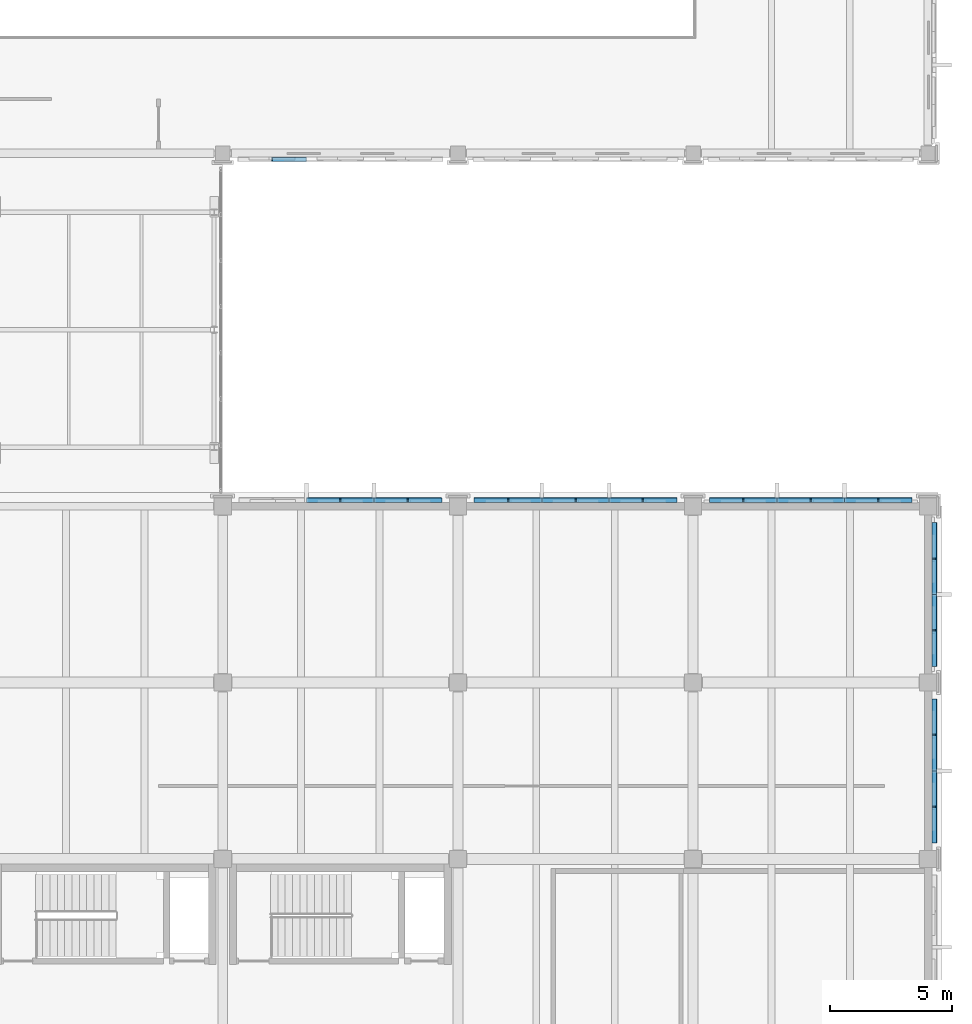
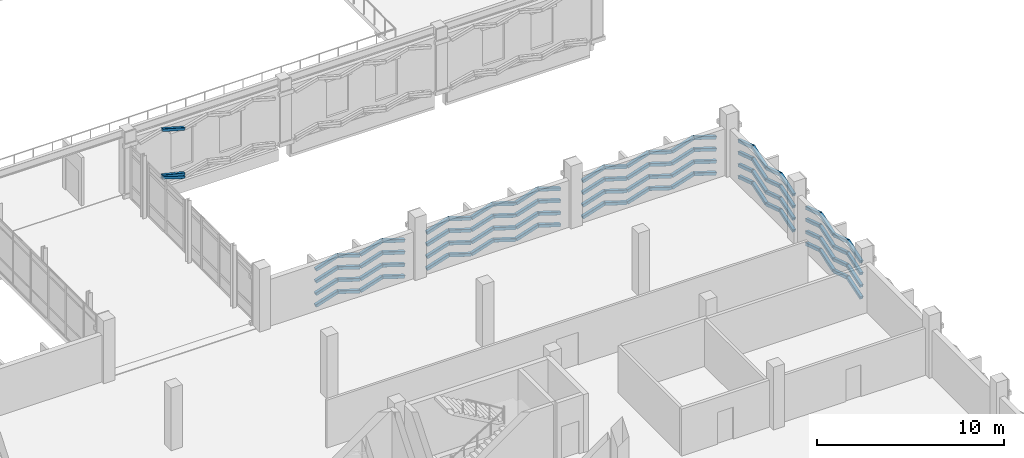
# One storey, part 147 of 180: 99 plates.
"""IFC4 building model written with IfcOpenShell, lengths in metres."""

from ifc_helpers import new_model, si_unit, direction, frame, origin, origin_2d, place, context, subcontext, project, spatial, hollow_rectangle, extrude, material, material_profile, profile_set, type_object, element, save


model = new_model("IFC4")

# Units and contexts
model_context = context("Model", 3, precision=1e-05, world=origin(), true_north=direction((0.0, 1.0)))
body_context = subcontext(model_context, "Body", "Model", "MODEL_VIEW")
ifc_project = project(units=[si_unit("LENGTHUNIT", "METRE"), si_unit("AREAUNIT", "SQUARE_METRE"), si_unit("VOLUMEUNIT", "CUBIC_METRE"), si_unit("PLANEANGLEUNIT", "RADIAN"), si_unit("MASSUNIT", "GRAM", prefix="KILO")], contexts=[model_context])

# Site, building, storey
site_placement = place(None, origin())
site = spatial("IfcSite", under=ifc_project, at=site_placement, CompositionType="ELEMENT")
building_placement = place(site_placement, origin())
building = spatial("IfcBuilding", under=site, at=building_placement, Name="Asteropetra Specialist Clinic", CompositionType="ELEMENT")
storey_placement = place(building_placement, frame((0.0, 0.0, 4.419921875)))
storey = spatial("IfcBuildingStorey", under=building, at=storey_placement, Name="L01", CompositionType="ELEMENT", Elevation=4.419921875)

# Plates
ifc_material_1 = material(Name="Chevron emerald aluminium 6063-T6", Category="aluminium")
ifc_material_profile_1 = material_profile(ifc_material_1, hollow_rectangle(XDim=0.179931640625, YDim=0.179931640625, WallThickness=0.010009765625, InnerFilletRadius=0.008056640625, OuterFilletRadius=0.01611328125, at=origin_2d()), Name="SHS 180x180x10.0")
ifc_profile_set_1 = profile_set([ifc_material_profile_1], Name="Chevron emerald aluminium 6063-T6")
plate_type_1 = type_object("IfcPlateType", Name="CHV-RIB-180", PredefinedType="SHEET", material=ifc_profile_set_1)
plate_1_placement = place(storey_placement, frame((126.813232421875, 76.55810546875, 0.4794921875), z_axis=(0.952439871219, 0.0, -0.304726585175), x_axis=(0.0, 1.0, 0.0)))
element("IfcPlate", 1, at=plate_1_placement, inside=storey, type_object=plate_type_1, Name="Chevron Facade Screen Fin CVR-0134", PredefinedType="SHEET", context=body_context, shape_type="SweptSolid", body=[
    extrude(hollow_rectangle(XDim=0.179931640625, YDim=0.179931640625, WallThickness=0.010009765625, InnerFilletRadius=0.008056640625, OuterFilletRadius=0.01611328125, at=origin_2d()), origin(), (0.0, 0.0, 1.0), 1.442138671875),
])
plate_2_placement = place(storey_placement, frame((126.813232421875, 76.55810546875, 0.570068359375), z_axis=(0.972318233691, 0.0, -0.233660549582), x_axis=(0.0, 1.0, 0.0)))
element("IfcPlate", 2, at=plate_2_placement, inside=storey, type_object=plate_type_1, Name="Chevron Facade Screen Fin CVR-0136", PredefinedType="SHEET", context=body_context, shape_type="SweptSolid", body=[
    extrude(hollow_rectangle(XDim=0.179931640625, YDim=0.179931640625, WallThickness=0.010009765625, InnerFilletRadius=0.008056640625, OuterFilletRadius=0.01611328125, at=origin_2d()), origin(), (0.0, 0.0, 1.0), 1.41259765625),
])
plate_3_placement = place(storey_placement, frame((126.813232421875, 76.55810546875, 3.580078125), z_axis=(0.961993565235, 0.0, -0.273072115834), x_axis=(0.0, 1.0, 0.0)))
element("IfcPlate", 3, at=plate_3_placement, inside=storey, type_object=plate_type_1, Name="Chevron Facade Screen Fin CVR-0138", PredefinedType="SHEET", context=body_context, shape_type="SweptSolid", body=[
    extrude(hollow_rectangle(XDim=0.179931640625, YDim=0.179931640625, WallThickness=0.010009765625, InnerFilletRadius=0.008056640625, OuterFilletRadius=0.01611328125, at=origin_2d()), origin(), (0.0, 0.0, 1.0), 1.427734375),
])
ifc_material_2 = material(Name="Chevron emerald aluminium 6063-T6", Category="aluminium")
ifc_material_profile_2 = material_profile(ifc_material_2, hollow_rectangle(XDim=0.199951171875, YDim=0.199951171875, WallThickness=0.010009765625, InnerFilletRadius=0.008056640625, OuterFilletRadius=0.01611328125, at=origin_2d()), Name="SHS 200x200x10.0")
ifc_profile_set_2 = profile_set([ifc_material_profile_2], Name="Chevron emerald aluminium 6063-T6")
plate_type_2 = type_object("IfcPlateType", Name="CHV-RIB-200", PredefinedType="SHEET", material=ifc_profile_set_2)
for number, where, z_axis, x_axis, name in (
    (4, (133.7099609375, 62.6494140625, 0.050048828125), (-0.952436086829, 0.0, 0.304738413241), (0.0, -1.0, 0.0), "Chevron Facade Screen Fin CVR-2072"),
    (5, (132.353271484375, 62.6494140625, 0.484130859375), (-0.952436086829, 0.0, -0.304738413241), (0.0, -1.0, 0.0), "Chevron Facade Screen Fin CVR-2073"),
    (6, (133.7099609375, 62.6494140625, 0.820068359375), (-0.952436086829, 0.0, 0.304738413241), (0.0, -1.0, 0.0), "Chevron Facade Screen Fin CVR-2074"),
    (7, (132.353271484375, 62.6494140625, 1.254150390625), (-0.952436086829, 0.0, -0.304738413241), (0.0, -1.0, 0.0), "Chevron Facade Screen Fin CVR-2075"),
    (8, (133.7099609375, 62.6494140625, 1.6201171875), (-0.952436086829, 0.0, 0.304738413241), (0.0, -1.0, 0.0), "Chevron Facade Screen Fin CVR-2076"),
    (9, (132.353271484375, 62.6494140625, 2.05419921875), (-0.952436086829, 0.0, -0.304738413241), (0.0, -1.0, 0.0), "Chevron Facade Screen Fin CVR-2077"),
    (10, (133.7099609375, 62.6494140625, 2.400146484375), (-0.952436086829, 0.0, 0.304738413241), (0.0, -1.0, 0.0), "Chevron Facade Screen Fin CVR-2078"),
    (11, (132.353271484375, 62.6494140625, 2.834228515625), (-0.952436086829, 0.0, -0.304738413241), (0.0, -1.0, 0.0), "Chevron Facade Screen Fin CVR-2079"),
    (12, (130.956787109375, 62.6494140625, 0.050048828125), (-0.952436086829, 0.0, 0.304738413241), (0.0, -1.0, 0.0), "Chevron Facade Screen Fin CVR-2080"),
    (13, (129.60009765625, 62.6494140625, 0.484130859375), (-0.952436086829, 0.0, -0.304738413241), (0.0, -1.0, 0.0), "Chevron Facade Screen Fin CVR-2081"),
    (14, (130.956787109375, 62.6494140625, 0.820068359375), (-0.952436086829, 0.0, 0.304738413241), (0.0, -1.0, 0.0), "Chevron Facade Screen Fin CVR-2082"),
    (15, (129.60009765625, 62.6494140625, 1.254150390625), (-0.952436086829, 0.0, -0.304738413241), (0.0, -1.0, 0.0), "Chevron Facade Screen Fin CVR-2083"),
    (16, (130.956787109375, 62.6494140625, 1.6201171875), (-0.952436086829, 0.0, 0.304738413241), (0.0, -1.0, 0.0), "Chevron Facade Screen Fin CVR-2084"),
    (17, (129.60009765625, 62.6494140625, 2.05419921875), (-0.952436086829, 0.0, -0.304738413241), (0.0, -1.0, 0.0), "Chevron Facade Screen Fin CVR-2085"),
    (18, (130.956787109375, 62.6494140625, 2.400146484375), (-0.952436086829, 0.0, 0.304738413241), (0.0, -1.0, 0.0), "Chevron Facade Screen Fin CVR-2086"),
    (19, (129.60009765625, 62.6494140625, 2.834228515625), (-0.952436086829, 0.0, -0.304738413241), (0.0, -1.0, 0.0), "Chevron Facade Screen Fin CVR-2087"),
    (20, (143.31005859375, 62.6494140625, 0.050048828125), (-0.952436086829, 0.0, 0.304738413241), (0.0, -1.0, 0.0), "Chevron Facade Screen Fin CVR-2120"),
    (21, (141.953369140625, 62.6494140625, 0.484130859375), (-0.952436086829, 0.0, -0.304738413241), (0.0, -1.0, 0.0), "Chevron Facade Screen Fin CVR-2121"),
    (22, (143.31005859375, 62.6494140625, 0.820068359375), (-0.952436086829, 0.0, 0.304738413241), (0.0, -1.0, 0.0), "Chevron Facade Screen Fin CVR-2122"),
    (23, (141.953369140625, 62.6494140625, 1.254150390625), (-0.952436086829, 0.0, -0.304738413241), (0.0, -1.0, 0.0), "Chevron Facade Screen Fin CVR-2123"),
    (24, (143.31005859375, 62.6494140625, 1.6201171875), (-0.952436086829, 0.0, 0.304738413241), (0.0, -1.0, 0.0), "Chevron Facade Screen Fin CVR-2124"),
    (25, (141.953369140625, 62.6494140625, 2.05419921875), (-0.952436086829, 0.0, -0.304738413241), (0.0, -1.0, 0.0), "Chevron Facade Screen Fin CVR-2125"),
    (26, (143.31005859375, 62.6494140625, 2.400146484375), (-0.952436086829, 0.0, 0.304738413241), (0.0, -1.0, 0.0), "Chevron Facade Screen Fin CVR-2126"),
    (27, (141.953369140625, 62.6494140625, 2.834228515625), (-0.952436086829, 0.0, -0.304738413241), (0.0, -1.0, 0.0), "Chevron Facade Screen Fin CVR-2127"),
    (28, (140.556640625, 62.6494140625, 0.050048828125), (-0.952436086829, 0.0, 0.304738413241), (0.0, -1.0, 0.0), "Chevron Facade Screen Fin CVR-2128"),
    (29, (139.199951171875, 62.6494140625, 0.484130859375), (-0.952436086829, 0.0, -0.304738413241), (0.0, -1.0, 0.0), "Chevron Facade Screen Fin CVR-2129"),
    (30, (140.556640625, 62.6494140625, 0.820068359375), (-0.952436086829, 0.0, 0.304738413241), (0.0, -1.0, 0.0), "Chevron Facade Screen Fin CVR-2130"),
    (31, (139.199951171875, 62.6494140625, 1.254150390625), (-0.952436086829, 0.0, -0.304738413241), (0.0, -1.0, 0.0), "Chevron Facade Screen Fin CVR-2131"),
    (32, (140.556640625, 62.6494140625, 1.6201171875), (-0.952436086829, 0.0, 0.304738413241), (0.0, -1.0, 0.0), "Chevron Facade Screen Fin CVR-2132"),
    (33, (139.199951171875, 62.6494140625, 2.05419921875), (-0.952436086829, 0.0, -0.304738413241), (0.0, -1.0, 0.0), "Chevron Facade Screen Fin CVR-2133"),
    (34, (140.556640625, 62.6494140625, 2.400146484375), (-0.952436086829, 0.0, 0.304738413241), (0.0, -1.0, 0.0), "Chevron Facade Screen Fin CVR-2134"),
    (35, (139.199951171875, 62.6494140625, 2.834228515625), (-0.952436086829, 0.0, -0.304738413241), (0.0, -1.0, 0.0), "Chevron Facade Screen Fin CVR-2135"),
):
    element("IfcPlate", number, at=place(storey_placement, frame(where, z_axis=z_axis, x_axis=x_axis)), inside=storey, type_object=plate_type_2, Name=name, PredefinedType="SHEET", context=body_context, shape_type="SweptSolid", body=[
        extrude(hollow_rectangle(XDim=0.199951171875, YDim=0.199951171875, WallThickness=0.010009765625, InnerFilletRadius=0.008056640625, OuterFilletRadius=0.01611328125, at=origin_2d()), origin(), (0.0, 0.0, 1.0), 1.424560546875),
    ])
plate_4_placement = place(storey_placement, frame((137.80322265625, 62.6494140625, 0.050048828125), z_axis=(-0.952420166348, 0.0, 0.304788166985), x_axis=(0.0, -1.0, 0.0)))
element("IfcPlate", 36, at=plate_4_placement, inside=storey, type_object=plate_type_2, Name="Chevron Facade Screen Fin CVR-2136", PredefinedType="SHEET", context=body_context, shape_type="SweptSolid", body=[
    extrude(hollow_rectangle(XDim=0.199951171875, YDim=0.199951171875, WallThickness=0.010009765625, InnerFilletRadius=0.008056640625, OuterFilletRadius=0.01611328125, at=origin_2d()), origin(), (0.0, 0.0, 1.0), 1.42431640625),
])
plate_5_placement = place(storey_placement, frame((136.44677734375, 62.6494140625, 0.484130859375), z_axis=(-0.952436086829, 0.0, -0.304738413241), x_axis=(0.0, -1.0, 0.0)))
element("IfcPlate", 37, at=plate_5_placement, inside=storey, type_object=plate_type_2, Name="Chevron Facade Screen Fin CVR-2137", PredefinedType="SHEET", context=body_context, shape_type="SweptSolid", body=[
    extrude(hollow_rectangle(XDim=0.199951171875, YDim=0.199951171875, WallThickness=0.010009765625, InnerFilletRadius=0.008056640625, OuterFilletRadius=0.01611328125, at=origin_2d()), origin(), (0.0, 0.0, 1.0), 1.424560546875),
])
plate_6_placement = place(storey_placement, frame((137.80322265625, 62.6494140625, 0.820068359375), z_axis=(-0.952420166348, 0.0, 0.304788166985), x_axis=(0.0, -1.0, 0.0)))
element("IfcPlate", 38, at=plate_6_placement, inside=storey, type_object=plate_type_2, Name="Chevron Facade Screen Fin CVR-2138", PredefinedType="SHEET", context=body_context, shape_type="SweptSolid", body=[
    extrude(hollow_rectangle(XDim=0.199951171875, YDim=0.199951171875, WallThickness=0.010009765625, InnerFilletRadius=0.008056640625, OuterFilletRadius=0.01611328125, at=origin_2d()), origin(), (0.0, 0.0, 1.0), 1.42431640625),
])
plate_7_placement = place(storey_placement, frame((136.44677734375, 62.6494140625, 1.254150390625), z_axis=(-0.952436086829, 0.0, -0.304738413241), x_axis=(0.0, -1.0, 0.0)))
element("IfcPlate", 39, at=plate_7_placement, inside=storey, type_object=plate_type_2, Name="Chevron Facade Screen Fin CVR-2139", PredefinedType="SHEET", context=body_context, shape_type="SweptSolid", body=[
    extrude(hollow_rectangle(XDim=0.199951171875, YDim=0.199951171875, WallThickness=0.010009765625, InnerFilletRadius=0.008056640625, OuterFilletRadius=0.01611328125, at=origin_2d()), origin(), (0.0, 0.0, 1.0), 1.424560546875),
])
plate_8_placement = place(storey_placement, frame((137.80322265625, 62.6494140625, 1.6201171875), z_axis=(-0.952420166348, 0.0, 0.304788166985), x_axis=(0.0, -1.0, 0.0)))
element("IfcPlate", 40, at=plate_8_placement, inside=storey, type_object=plate_type_2, Name="Chevron Facade Screen Fin CVR-2140", PredefinedType="SHEET", context=body_context, shape_type="SweptSolid", body=[
    extrude(hollow_rectangle(XDim=0.199951171875, YDim=0.199951171875, WallThickness=0.010009765625, InnerFilletRadius=0.008056640625, OuterFilletRadius=0.01611328125, at=origin_2d()), origin(), (0.0, 0.0, 1.0), 1.42431640625),
])
plate_9_placement = place(storey_placement, frame((136.44677734375, 62.6494140625, 2.05419921875), z_axis=(-0.952436086829, 0.0, -0.304738413241), x_axis=(0.0, -1.0, 0.0)))
element("IfcPlate", 41, at=plate_9_placement, inside=storey, type_object=plate_type_2, Name="Chevron Facade Screen Fin CVR-2141", PredefinedType="SHEET", context=body_context, shape_type="SweptSolid", body=[
    extrude(hollow_rectangle(XDim=0.199951171875, YDim=0.199951171875, WallThickness=0.010009765625, InnerFilletRadius=0.008056640625, OuterFilletRadius=0.01611328125, at=origin_2d()), origin(), (0.0, 0.0, 1.0), 1.424560546875),
])
plate_10_placement = place(storey_placement, frame((137.80322265625, 62.6494140625, 2.400146484375), z_axis=(-0.952420166348, 0.0, 0.304788166985), x_axis=(0.0, -1.0, 0.0)))
element("IfcPlate", 42, at=plate_10_placement, inside=storey, type_object=plate_type_2, Name="Chevron Facade Screen Fin CVR-2142", PredefinedType="SHEET", context=body_context, shape_type="SweptSolid", body=[
    extrude(hollow_rectangle(XDim=0.199951171875, YDim=0.199951171875, WallThickness=0.010009765625, InnerFilletRadius=0.008056640625, OuterFilletRadius=0.01611328125, at=origin_2d()), origin(), (0.0, 0.0, 1.0), 1.42431640625),
])
for number, where, z_axis, x_axis, name in (
    (43, (136.44677734375, 62.6494140625, 2.834228515625), (-0.952436086829, 0.0, -0.304738413241), (0.0, -1.0, 0.0), "Chevron Facade Screen Fin CVR-2143"),
    (44, (152.909912109375, 62.6494140625, 0.050048828125), (-0.952436086829, 0.0, 0.304738413241), (0.0, -1.0, 0.0), "Chevron Facade Screen Fin CVR-2168"),
):
    element("IfcPlate", number, at=place(storey_placement, frame(where, z_axis=z_axis, x_axis=x_axis)), inside=storey, type_object=plate_type_2, Name=name, PredefinedType="SHEET", context=body_context, shape_type="SweptSolid", body=[
        extrude(hollow_rectangle(XDim=0.199951171875, YDim=0.199951171875, WallThickness=0.010009765625, InnerFilletRadius=0.008056640625, OuterFilletRadius=0.01611328125, at=origin_2d()), origin(), (0.0, 0.0, 1.0), 1.424560546875),
    ])
plate_11_placement = place(storey_placement, frame((151.55322265625, 62.6494140625, 0.484130859375), z_axis=(-0.952420166348, 0.0, -0.304788166985), x_axis=(0.0, -1.0, 0.0)))
element("IfcPlate", 45, at=plate_11_placement, inside=storey, type_object=plate_type_2, Name="Chevron Facade Screen Fin CVR-2169", PredefinedType="SHEET", context=body_context, shape_type="SweptSolid", body=[
    extrude(hollow_rectangle(XDim=0.199951171875, YDim=0.199951171875, WallThickness=0.010009765625, InnerFilletRadius=0.008056640625, OuterFilletRadius=0.01611328125, at=origin_2d()), origin(), (0.0, 0.0, 1.0), 1.42431640625),
])
plate_12_placement = place(storey_placement, frame((152.909912109375, 62.6494140625, 0.820068359375), z_axis=(-0.952436086829, 0.0, 0.304738413241), x_axis=(0.0, -1.0, 0.0)))
element("IfcPlate", 46, at=plate_12_placement, inside=storey, type_object=plate_type_2, Name="Chevron Facade Screen Fin CVR-2170", PredefinedType="SHEET", context=body_context, shape_type="SweptSolid", body=[
    extrude(hollow_rectangle(XDim=0.199951171875, YDim=0.199951171875, WallThickness=0.010009765625, InnerFilletRadius=0.008056640625, OuterFilletRadius=0.01611328125, at=origin_2d()), origin(), (0.0, 0.0, 1.0), 1.424560546875),
])
plate_13_placement = place(storey_placement, frame((151.55322265625, 62.6494140625, 1.254150390625), z_axis=(-0.952420166348, 0.0, -0.304788166985), x_axis=(0.0, -1.0, 0.0)))
element("IfcPlate", 47, at=plate_13_placement, inside=storey, type_object=plate_type_2, Name="Chevron Facade Screen Fin CVR-2171", PredefinedType="SHEET", context=body_context, shape_type="SweptSolid", body=[
    extrude(hollow_rectangle(XDim=0.199951171875, YDim=0.199951171875, WallThickness=0.010009765625, InnerFilletRadius=0.008056640625, OuterFilletRadius=0.01611328125, at=origin_2d()), origin(), (0.0, 0.0, 1.0), 1.42431640625),
])
plate_14_placement = place(storey_placement, frame((152.909912109375, 62.6494140625, 1.6201171875), z_axis=(-0.952436086829, 0.0, 0.304738413241), x_axis=(0.0, -1.0, 0.0)))
element("IfcPlate", 48, at=plate_14_placement, inside=storey, type_object=plate_type_2, Name="Chevron Facade Screen Fin CVR-2172", PredefinedType="SHEET", context=body_context, shape_type="SweptSolid", body=[
    extrude(hollow_rectangle(XDim=0.199951171875, YDim=0.199951171875, WallThickness=0.010009765625, InnerFilletRadius=0.008056640625, OuterFilletRadius=0.01611328125, at=origin_2d()), origin(), (0.0, 0.0, 1.0), 1.424560546875),
])
plate_15_placement = place(storey_placement, frame((151.55322265625, 62.6494140625, 2.05419921875), z_axis=(-0.952420166348, 0.0, -0.304788166985), x_axis=(0.0, -1.0, 0.0)))
element("IfcPlate", 49, at=plate_15_placement, inside=storey, type_object=plate_type_2, Name="Chevron Facade Screen Fin CVR-2173", PredefinedType="SHEET", context=body_context, shape_type="SweptSolid", body=[
    extrude(hollow_rectangle(XDim=0.199951171875, YDim=0.199951171875, WallThickness=0.010009765625, InnerFilletRadius=0.008056640625, OuterFilletRadius=0.01611328125, at=origin_2d()), origin(), (0.0, 0.0, 1.0), 1.42431640625),
])
plate_16_placement = place(storey_placement, frame((152.909912109375, 62.6494140625, 2.400146484375), z_axis=(-0.952436086829, 0.0, 0.304738413241), x_axis=(0.0, -1.0, 0.0)))
element("IfcPlate", 50, at=plate_16_placement, inside=storey, type_object=plate_type_2, Name="Chevron Facade Screen Fin CVR-2174", PredefinedType="SHEET", context=body_context, shape_type="SweptSolid", body=[
    extrude(hollow_rectangle(XDim=0.199951171875, YDim=0.199951171875, WallThickness=0.010009765625, InnerFilletRadius=0.008056640625, OuterFilletRadius=0.01611328125, at=origin_2d()), origin(), (0.0, 0.0, 1.0), 1.424560546875),
])
plate_17_placement = place(storey_placement, frame((151.55322265625, 62.6494140625, 2.834228515625), z_axis=(-0.952420166348, 0.0, -0.304788166985), x_axis=(0.0, -1.0, 0.0)))
element("IfcPlate", 51, at=plate_17_placement, inside=storey, type_object=plate_type_2, Name="Chevron Facade Screen Fin CVR-2175", PredefinedType="SHEET", context=body_context, shape_type="SweptSolid", body=[
    extrude(hollow_rectangle(XDim=0.199951171875, YDim=0.199951171875, WallThickness=0.010009765625, InnerFilletRadius=0.008056640625, OuterFilletRadius=0.01611328125, at=origin_2d()), origin(), (0.0, 0.0, 1.0), 1.42431640625),
])
for number, where, z_axis, x_axis, name in (
    (52, (150.15673828125, 62.6494140625, 0.050048828125), (-0.952436086829, 0.0, 0.304738413241), (0.0, -1.0, 0.0), "Chevron Facade Screen Fin CVR-2176"),
    (53, (148.800048828125, 62.6494140625, 0.484130859375), (-0.952436086829, 0.0, -0.304738413241), (0.0, -1.0, 0.0), "Chevron Facade Screen Fin CVR-2177"),
    (54, (150.15673828125, 62.6494140625, 0.820068359375), (-0.952436086829, 0.0, 0.304738413241), (0.0, -1.0, 0.0), "Chevron Facade Screen Fin CVR-2178"),
    (55, (148.800048828125, 62.6494140625, 1.254150390625), (-0.952436086829, 0.0, -0.304738413241), (0.0, -1.0, 0.0), "Chevron Facade Screen Fin CVR-2179"),
    (56, (150.15673828125, 62.6494140625, 1.6201171875), (-0.952436086829, 0.0, 0.304738413241), (0.0, -1.0, 0.0), "Chevron Facade Screen Fin CVR-2180"),
    (57, (148.800048828125, 62.6494140625, 2.05419921875), (-0.952436086829, 0.0, -0.304738413241), (0.0, -1.0, 0.0), "Chevron Facade Screen Fin CVR-2181"),
    (58, (150.15673828125, 62.6494140625, 2.400146484375), (-0.952436086829, 0.0, 0.304738413241), (0.0, -1.0, 0.0), "Chevron Facade Screen Fin CVR-2182"),
    (59, (148.800048828125, 62.6494140625, 2.834228515625), (-0.952436086829, 0.0, -0.304738413241), (0.0, -1.0, 0.0), "Chevron Facade Screen Fin CVR-2183"),
    (60, (147.4033203125, 62.6494140625, 0.050048828125), (-0.952436086829, 0.0, 0.304738413241), (0.0, -1.0, 0.0), "Chevron Facade Screen Fin CVR-2184"),
    (61, (146.046630859375, 62.6494140625, 0.484130859375), (-0.952436086829, 0.0, -0.304738413241), (0.0, -1.0, 0.0), "Chevron Facade Screen Fin CVR-2185"),
    (62, (147.4033203125, 62.6494140625, 0.820068359375), (-0.952436086829, 0.0, 0.304738413241), (0.0, -1.0, 0.0), "Chevron Facade Screen Fin CVR-2186"),
    (63, (146.046630859375, 62.6494140625, 1.254150390625), (-0.952436086829, 0.0, -0.304738413241), (0.0, -1.0, 0.0), "Chevron Facade Screen Fin CVR-2187"),
    (64, (147.4033203125, 62.6494140625, 1.6201171875), (-0.952436086829, 0.0, 0.304738413241), (0.0, -1.0, 0.0), "Chevron Facade Screen Fin CVR-2188"),
    (65, (146.046630859375, 62.6494140625, 2.05419921875), (-0.952436086829, 0.0, -0.304738413241), (0.0, -1.0, 0.0), "Chevron Facade Screen Fin CVR-2189"),
    (66, (147.4033203125, 62.6494140625, 2.400146484375), (-0.952436086829, 0.0, 0.304738413241), (0.0, -1.0, 0.0), "Chevron Facade Screen Fin CVR-2190"),
    (67, (146.046630859375, 62.6494140625, 2.834228515625), (-0.952436086829, 0.0, -0.304738413241), (0.0, -1.0, 0.0), "Chevron Facade Screen Fin CVR-2191"),
):
    element("IfcPlate", number, at=place(storey_placement, frame(where, z_axis=z_axis, x_axis=x_axis)), inside=storey, type_object=plate_type_2, Name=name, PredefinedType="SHEET", context=body_context, shape_type="SweptSolid", body=[
        extrude(hollow_rectangle(XDim=0.199951171875, YDim=0.199951171875, WallThickness=0.010009765625, InnerFilletRadius=0.008056640625, OuterFilletRadius=0.01611328125, at=origin_2d()), origin(), (0.0, 0.0, 1.0), 1.424560546875),
    ])
for number, where, z_axis, x_axis, name in (
    (68, (153.849609375, 48.68994140625, 0.050048828125), (0.0, 0.952521261695, 0.304472077568), (-1.0, 0.0, 0.0), "Chevron Facade Screen Fin CVR-2416"),
    (69, (153.849609375, 50.135009765625, 0.511962890625), (0.0, 0.952521261695, -0.304472077568), (-1.0, 0.0, 0.0), "Chevron Facade Screen Fin CVR-2417"),
    (70, (153.849609375, 48.68994140625, 0.820068359375), (0.0, 0.952521261695, 0.304472077568), (-1.0, 0.0, 0.0), "Chevron Facade Screen Fin CVR-2418"),
    (71, (153.849609375, 50.135009765625, 1.281982421875), (0.0, 0.952521261695, -0.304472077568), (-1.0, 0.0, 0.0), "Chevron Facade Screen Fin CVR-2419"),
    (72, (153.849609375, 48.68994140625, 1.6201171875), (0.0, 0.952521261695, 0.304472077568), (-1.0, 0.0, 0.0), "Chevron Facade Screen Fin CVR-2420"),
    (73, (153.849609375, 50.135009765625, 2.08203125), (0.0, 0.952521261695, -0.304472077568), (-1.0, 0.0, 0.0), "Chevron Facade Screen Fin CVR-2421"),
    (74, (153.849609375, 48.68994140625, 2.400146484375), (0.0, 0.952521261695, 0.304472077568), (-1.0, 0.0, 0.0), "Chevron Facade Screen Fin CVR-2422"),
    (75, (153.849609375, 50.135009765625, 2.862060546875), (0.0, 0.952521261695, -0.304472077568), (-1.0, 0.0, 0.0), "Chevron Facade Screen Fin CVR-2423"),
):
    element("IfcPlate", number, at=place(storey_placement, frame(where, z_axis=z_axis, x_axis=x_axis)), inside=storey, type_object=plate_type_2, Name=name, PredefinedType="SHEET", context=body_context, shape_type="SweptSolid", body=[
        extrude(hollow_rectangle(XDim=0.199951171875, YDim=0.199951171875, WallThickness=0.010009765625, InnerFilletRadius=0.008056640625, OuterFilletRadius=0.01611328125, at=origin_2d()), origin(), (0.0, 0.0, 1.0), 1.51708984375),
    ])
plate_18_placement = place(storey_placement, frame((153.849609375, 51.6201171875, 0.050048828125), z_axis=(0.0, 0.952506339897, 0.304518755506), x_axis=(-1.0, 0.0, 0.0)))
element("IfcPlate", 76, at=plate_18_placement, inside=storey, type_object=plate_type_2, Name="Chevron Facade Screen Fin CVR-2424", PredefinedType="SHEET", context=body_context, shape_type="SweptSolid", body=[
    extrude(hollow_rectangle(XDim=0.199951171875, YDim=0.199951171875, WallThickness=0.010009765625, InnerFilletRadius=0.008056640625, OuterFilletRadius=0.01611328125, at=origin_2d()), origin(), (0.0, 0.0, 1.0), 1.516845703125),
])
plate_19_placement = place(storey_placement, frame((153.849609375, 53.06494140625, 0.511962890625), z_axis=(0.0, 0.952521261695, -0.304472077568), x_axis=(-1.0, 0.0, 0.0)))
element("IfcPlate", 77, at=plate_19_placement, inside=storey, type_object=plate_type_2, Name="Chevron Facade Screen Fin CVR-2425", PredefinedType="SHEET", context=body_context, shape_type="SweptSolid", body=[
    extrude(hollow_rectangle(XDim=0.199951171875, YDim=0.199951171875, WallThickness=0.010009765625, InnerFilletRadius=0.008056640625, OuterFilletRadius=0.01611328125, at=origin_2d()), origin(), (0.0, 0.0, 1.0), 1.51708984375),
])
plate_20_placement = place(storey_placement, frame((153.849609375, 51.6201171875, 0.820068359375), z_axis=(0.0, 0.952506339897, 0.304518755506), x_axis=(-1.0, 0.0, 0.0)))
element("IfcPlate", 78, at=plate_20_placement, inside=storey, type_object=plate_type_2, Name="Chevron Facade Screen Fin CVR-2426", PredefinedType="SHEET", context=body_context, shape_type="SweptSolid", body=[
    extrude(hollow_rectangle(XDim=0.199951171875, YDim=0.199951171875, WallThickness=0.010009765625, InnerFilletRadius=0.008056640625, OuterFilletRadius=0.01611328125, at=origin_2d()), origin(), (0.0, 0.0, 1.0), 1.516845703125),
])
plate_21_placement = place(storey_placement, frame((153.849609375, 53.06494140625, 1.281982421875), z_axis=(0.0, 0.952521261695, -0.304472077568), x_axis=(-1.0, 0.0, 0.0)))
element("IfcPlate", 79, at=plate_21_placement, inside=storey, type_object=plate_type_2, Name="Chevron Facade Screen Fin CVR-2427", PredefinedType="SHEET", context=body_context, shape_type="SweptSolid", body=[
    extrude(hollow_rectangle(XDim=0.199951171875, YDim=0.199951171875, WallThickness=0.010009765625, InnerFilletRadius=0.008056640625, OuterFilletRadius=0.01611328125, at=origin_2d()), origin(), (0.0, 0.0, 1.0), 1.51708984375),
])
plate_22_placement = place(storey_placement, frame((153.849609375, 51.6201171875, 1.6201171875), z_axis=(0.0, 0.952506339897, 0.304518755506), x_axis=(-1.0, 0.0, 0.0)))
element("IfcPlate", 80, at=plate_22_placement, inside=storey, type_object=plate_type_2, Name="Chevron Facade Screen Fin CVR-2428", PredefinedType="SHEET", context=body_context, shape_type="SweptSolid", body=[
    extrude(hollow_rectangle(XDim=0.199951171875, YDim=0.199951171875, WallThickness=0.010009765625, InnerFilletRadius=0.008056640625, OuterFilletRadius=0.01611328125, at=origin_2d()), origin(), (0.0, 0.0, 1.0), 1.516845703125),
])
plate_23_placement = place(storey_placement, frame((153.849609375, 53.06494140625, 2.08203125), z_axis=(0.0, 0.952521261695, -0.304472077568), x_axis=(-1.0, 0.0, 0.0)))
element("IfcPlate", 81, at=plate_23_placement, inside=storey, type_object=plate_type_2, Name="Chevron Facade Screen Fin CVR-2429", PredefinedType="SHEET", context=body_context, shape_type="SweptSolid", body=[
    extrude(hollow_rectangle(XDim=0.199951171875, YDim=0.199951171875, WallThickness=0.010009765625, InnerFilletRadius=0.008056640625, OuterFilletRadius=0.01611328125, at=origin_2d()), origin(), (0.0, 0.0, 1.0), 1.51708984375),
])
plate_24_placement = place(storey_placement, frame((153.849609375, 51.6201171875, 2.400146484375), z_axis=(0.0, 0.952506339897, 0.304518755506), x_axis=(-1.0, 0.0, 0.0)))
element("IfcPlate", 82, at=plate_24_placement, inside=storey, type_object=plate_type_2, Name="Chevron Facade Screen Fin CVR-2430", PredefinedType="SHEET", context=body_context, shape_type="SweptSolid", body=[
    extrude(hollow_rectangle(XDim=0.199951171875, YDim=0.199951171875, WallThickness=0.010009765625, InnerFilletRadius=0.008056640625, OuterFilletRadius=0.01611328125, at=origin_2d()), origin(), (0.0, 0.0, 1.0), 1.516845703125),
])
for number, where, z_axis, x_axis, name in (
    (83, (153.849609375, 53.06494140625, 2.862060546875), (0.0, 0.952521261695, -0.304472077568), (-1.0, 0.0, 0.0), "Chevron Facade Screen Fin CVR-2431"),
    (84, (153.849609375, 55.889892578125, 0.050048828125), (0.0, 0.952521261695, 0.304472077568), (-1.0, 0.0, 0.0), "Chevron Facade Screen Fin CVR-2448"),
    (85, (153.849609375, 57.3349609375, 0.511962890625), (0.0, 0.952521261695, -0.304472077568), (-1.0, 0.0, 0.0), "Chevron Facade Screen Fin CVR-2449"),
    (86, (153.849609375, 55.889892578125, 0.820068359375), (0.0, 0.952521261695, 0.304472077568), (-1.0, 0.0, 0.0), "Chevron Facade Screen Fin CVR-2450"),
    (87, (153.849609375, 57.3349609375, 1.281982421875), (0.0, 0.952521261695, -0.304472077568), (-1.0, 0.0, 0.0), "Chevron Facade Screen Fin CVR-2451"),
    (88, (153.849609375, 55.889892578125, 1.6201171875), (0.0, 0.952521261695, 0.304472077568), (-1.0, 0.0, 0.0), "Chevron Facade Screen Fin CVR-2452"),
    (89, (153.849609375, 57.3349609375, 2.08203125), (0.0, 0.952521261695, -0.304472077568), (-1.0, 0.0, 0.0), "Chevron Facade Screen Fin CVR-2453"),
    (90, (153.849609375, 55.889892578125, 2.400146484375), (0.0, 0.952521261695, 0.304472077568), (-1.0, 0.0, 0.0), "Chevron Facade Screen Fin CVR-2454"),
    (91, (153.849609375, 57.3349609375, 2.862060546875), (0.0, 0.952521261695, -0.304472077568), (-1.0, 0.0, 0.0), "Chevron Facade Screen Fin CVR-2455"),
):
    element("IfcPlate", number, at=place(storey_placement, frame(where, z_axis=z_axis, x_axis=x_axis)), inside=storey, type_object=plate_type_2, Name=name, PredefinedType="SHEET", context=body_context, shape_type="SweptSolid", body=[
        extrude(hollow_rectangle(XDim=0.199951171875, YDim=0.199951171875, WallThickness=0.010009765625, InnerFilletRadius=0.008056640625, OuterFilletRadius=0.01611328125, at=origin_2d()), origin(), (0.0, 0.0, 1.0), 1.51708984375),
    ])
plate_25_placement = place(storey_placement, frame((153.849609375, 58.820068359375, 0.050048828125), z_axis=(0.0, 0.952506339897, 0.304518755506), x_axis=(-1.0, 0.0, 0.0)))
element("IfcPlate", 92, at=plate_25_placement, inside=storey, type_object=plate_type_2, Name="Chevron Facade Screen Fin CVR-2456", PredefinedType="SHEET", context=body_context, shape_type="SweptSolid", body=[
    extrude(hollow_rectangle(XDim=0.199951171875, YDim=0.199951171875, WallThickness=0.010009765625, InnerFilletRadius=0.008056640625, OuterFilletRadius=0.01611328125, at=origin_2d()), origin(), (0.0, 0.0, 1.0), 1.516845703125),
])
plate_26_placement = place(storey_placement, frame((153.849609375, 60.264892578125, 0.511962890625), z_axis=(0.0, 0.952521261695, -0.304472077568), x_axis=(-1.0, 0.0, 0.0)))
element("IfcPlate", 93, at=plate_26_placement, inside=storey, type_object=plate_type_2, Name="Chevron Facade Screen Fin CVR-2457", PredefinedType="SHEET", context=body_context, shape_type="SweptSolid", body=[
    extrude(hollow_rectangle(XDim=0.199951171875, YDim=0.199951171875, WallThickness=0.010009765625, InnerFilletRadius=0.008056640625, OuterFilletRadius=0.01611328125, at=origin_2d()), origin(), (0.0, 0.0, 1.0), 1.51708984375),
])
plate_27_placement = place(storey_placement, frame((153.849609375, 58.820068359375, 0.820068359375), z_axis=(0.0, 0.952506339897, 0.304518755506), x_axis=(-1.0, 0.0, 0.0)))
element("IfcPlate", 94, at=plate_27_placement, inside=storey, type_object=plate_type_2, Name="Chevron Facade Screen Fin CVR-2458", PredefinedType="SHEET", context=body_context, shape_type="SweptSolid", body=[
    extrude(hollow_rectangle(XDim=0.199951171875, YDim=0.199951171875, WallThickness=0.010009765625, InnerFilletRadius=0.008056640625, OuterFilletRadius=0.01611328125, at=origin_2d()), origin(), (0.0, 0.0, 1.0), 1.516845703125),
])
plate_28_placement = place(storey_placement, frame((153.849609375, 60.264892578125, 1.281982421875), z_axis=(0.0, 0.952521261695, -0.304472077568), x_axis=(-1.0, 0.0, 0.0)))
element("IfcPlate", 95, at=plate_28_placement, inside=storey, type_object=plate_type_2, Name="Chevron Facade Screen Fin CVR-2459", PredefinedType="SHEET", context=body_context, shape_type="SweptSolid", body=[
    extrude(hollow_rectangle(XDim=0.199951171875, YDim=0.199951171875, WallThickness=0.010009765625, InnerFilletRadius=0.008056640625, OuterFilletRadius=0.01611328125, at=origin_2d()), origin(), (0.0, 0.0, 1.0), 1.51708984375),
])
plate_29_placement = place(storey_placement, frame((153.849609375, 58.820068359375, 1.6201171875), z_axis=(0.0, 0.952506339897, 0.304518755506), x_axis=(-1.0, 0.0, 0.0)))
element("IfcPlate", 96, at=plate_29_placement, inside=storey, type_object=plate_type_2, Name="Chevron Facade Screen Fin CVR-2460", PredefinedType="SHEET", context=body_context, shape_type="SweptSolid", body=[
    extrude(hollow_rectangle(XDim=0.199951171875, YDim=0.199951171875, WallThickness=0.010009765625, InnerFilletRadius=0.008056640625, OuterFilletRadius=0.01611328125, at=origin_2d()), origin(), (0.0, 0.0, 1.0), 1.516845703125),
])
plate_30_placement = place(storey_placement, frame((153.849609375, 60.264892578125, 2.08203125), z_axis=(0.0, 0.952521261695, -0.304472077568), x_axis=(-1.0, 0.0, 0.0)))
element("IfcPlate", 97, at=plate_30_placement, inside=storey, type_object=plate_type_2, Name="Chevron Facade Screen Fin CVR-2461", PredefinedType="SHEET", context=body_context, shape_type="SweptSolid", body=[
    extrude(hollow_rectangle(XDim=0.199951171875, YDim=0.199951171875, WallThickness=0.010009765625, InnerFilletRadius=0.008056640625, OuterFilletRadius=0.01611328125, at=origin_2d()), origin(), (0.0, 0.0, 1.0), 1.51708984375),
])
plate_31_placement = place(storey_placement, frame((153.849609375, 58.820068359375, 2.400146484375), z_axis=(0.0, 0.952506339897, 0.304518755506), x_axis=(-1.0, 0.0, 0.0)))
element("IfcPlate", 98, at=plate_31_placement, inside=storey, type_object=plate_type_2, Name="Chevron Facade Screen Fin CVR-2462", PredefinedType="SHEET", context=body_context, shape_type="SweptSolid", body=[
    extrude(hollow_rectangle(XDim=0.199951171875, YDim=0.199951171875, WallThickness=0.010009765625, InnerFilletRadius=0.008056640625, OuterFilletRadius=0.01611328125, at=origin_2d()), origin(), (0.0, 0.0, 1.0), 1.516845703125),
])
plate_32_placement = place(storey_placement, frame((153.849609375, 60.264892578125, 2.862060546875), z_axis=(0.0, 0.952521261695, -0.304472077568), x_axis=(-1.0, 0.0, 0.0)))
element("IfcPlate", 99, at=plate_32_placement, inside=storey, type_object=plate_type_2, Name="Chevron Facade Screen Fin CVR-2463", PredefinedType="SHEET", context=body_context, shape_type="SweptSolid", body=[
    extrude(hollow_rectangle(XDim=0.199951171875, YDim=0.199951171875, WallThickness=0.010009765625, InnerFilletRadius=0.008056640625, OuterFilletRadius=0.01611328125, at=origin_2d()), origin(), (0.0, 0.0, 1.0), 1.51708984375),
])

save(model, "model.ifc")
